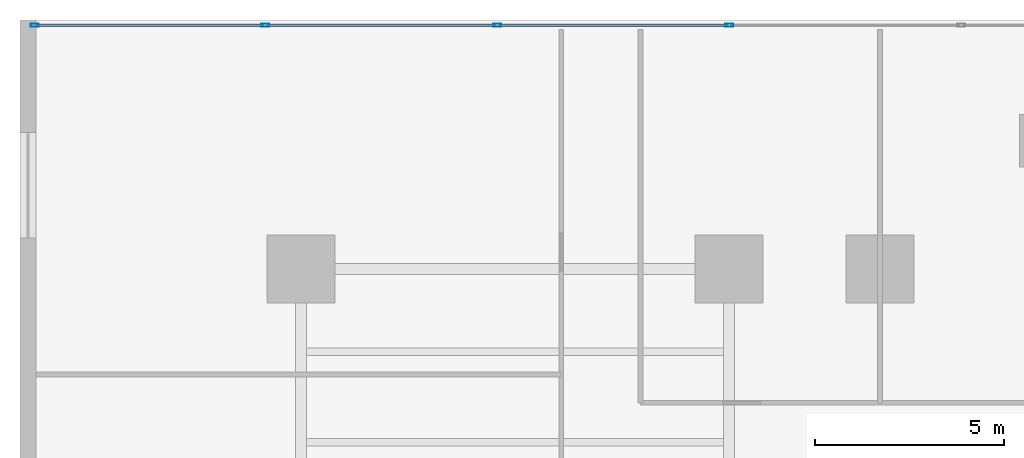
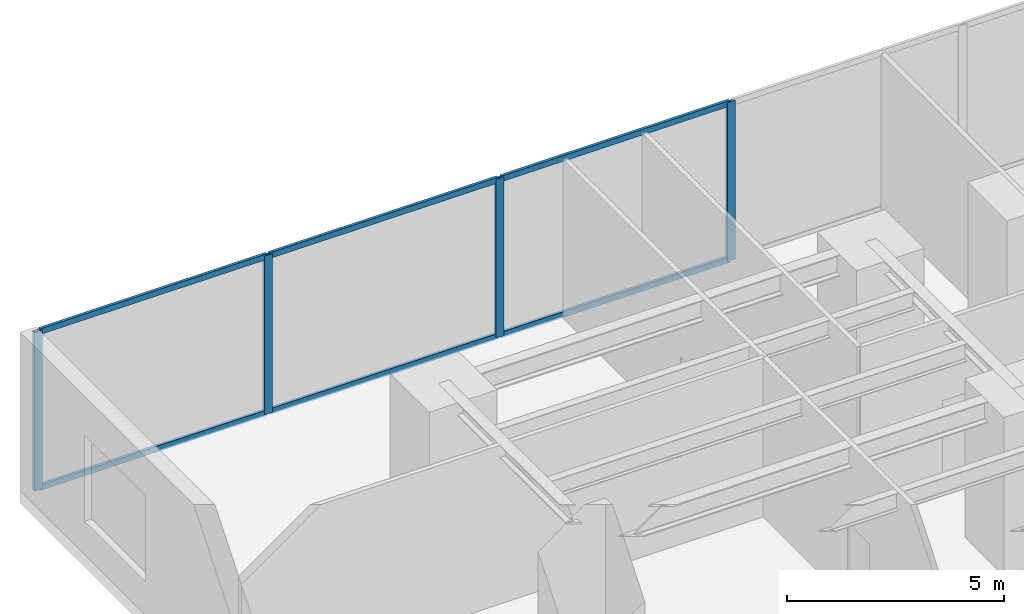
# One storey, part 3 of 16: 10 members, 1 element without a shape of its own.
"""IFC4 building model written with IfcOpenShell, lengths in metres."""

import ifcopenshell
import ifcopenshell.guid

model = None  # the IFC model being written
_history = None  # IfcOwnerHistory: only IFC2X3 demands one
_inside = {}  # id of a spatial element -> (the spatial element, [elements in it])
_under = {}  # id of a project, library or spatial element -> (it, [spatial elements below it])
_declared = {}  # id of a project -> (the project, [libraries it declares])
_typed = {}  # id of a type object -> (the type object, [elements of that type])
_made_of = {}  # id of a material, layer set ... -> (it, [elements and type objects made of it])


def new_model(schema):
    """Start an empty IFC model of exactly this schema.

    Asked for "IFC4X3", IfcOpenShell would pick the latest addendum, in which some entities
    have other attributes; the version numbers below select the first issue.
    IFC2X3 requires an IfcOwnerHistory on every rooted entity: one is made here for all.
    """
    global model, _history
    if schema == "IFC4X3":
        model = ifcopenshell.file(schema_version=(4, 3, 0, 0))
    else:
        model = ifcopenshell.file(schema=schema)
    _inside.clear()
    _under.clear()
    _declared.clear()
    _typed.clear()
    _made_of.clear()
    _history = None
    if model.schema == "IFC2X3":
        org = make("IfcOrganization", Name="unknown")
        user = make(
            "IfcPersonAndOrganization",
            ThePerson=make("IfcPerson", FamilyName="unknown"),
            TheOrganization=org,
        )
        app = make(
            "IfcApplication",
            ApplicationDeveloper=org,
            Version="unknown",
            ApplicationFullName="unknown",
            ApplicationIdentifier="unknown",
        )
        _history = make(
            "IfcOwnerHistory",
            OwningUser=user,
            OwningApplication=app,
            ChangeAction="ADDED",
            CreationDate=0,
        )
    return model


def make(cls, **values):
    """One entity of the class cls with the attributes given. An attribute that is None is left unset."""
    return model.create_entity(
        cls, **{name: value for name, value in values.items() if value is not None}
    )


def rooted(cls, **values):
    """An entity with a GlobalId (a new one), such as an element, a storey or a relation."""
    return make(cls, GlobalId=ifcopenshell.guid.new(), OwnerHistory=_history, **values)


def si_unit(unit_type, name, prefix=None):
    """IfcSIUnit, for example si_unit("LENGTHUNIT", "METRE", prefix="MILLI")."""
    return make("IfcSIUnit", UnitType=unit_type, Prefix=prefix, Name=name)


def assignment(units):
    """IfcUnitAssignment: the units of a project."""
    return None if units is None else make("IfcUnitAssignment", Units=units)


def point(xyz):
    """IfcCartesianPoint."""
    return None if xyz is None else make("IfcCartesianPoint", Coordinates=xyz)


def direction(xyz):
    """IfcDirection."""
    return None if xyz is None else make("IfcDirection", DirectionRatios=xyz)


def frame(location, z_axis=None, x_axis=None):
    """IfcAxis2Placement3D, a coordinate frame: its origin and axes. An axis left out is left unset."""
    return make(
        "IfcAxis2Placement3D",
        Location=point(location),
        Axis=direction(z_axis),
        RefDirection=direction(x_axis),
    )


def frame_2d(location, x_axis=None):
    """IfcAxis2Placement2D, a coordinate frame in the plane: its origin and x axis."""
    return make(
        "IfcAxis2Placement2D", Location=point(location), RefDirection=direction(x_axis)
    )


def origin():
    """The frame at (0, 0, 0) with its axes left unset."""
    return frame((0.0, 0.0, 0.0))


def origin_with_axes():
    """The frame at (0, 0, 0) with the z axis (0, 0, 1) and the x axis (1, 0, 0) written out."""
    return frame((0.0, 0.0, 0.0), z_axis=(0.0, 0.0, 1.0), x_axis=(1.0, 0.0, 0.0))


def origin_2d():
    """The frame at (0, 0) in the plane with its x axis left unset."""
    return frame_2d((0.0, 0.0))


def place(relative_to, where):
    """IfcLocalPlacement: puts the frame where relative to a parent placement (None: the world)."""
    return make(
        "IfcLocalPlacement", PlacementRelTo=relative_to, RelativePlacement=where
    )


def context(
    kind, dimensions, precision=None, world=None, true_north=None, identifier=None
):
    """IfcGeometricRepresentationContext, for example the 3D "Model" context."""
    return make(
        "IfcGeometricRepresentationContext",
        ContextIdentifier=identifier,
        ContextType=kind,
        CoordinateSpaceDimension=dimensions,
        Precision=precision,
        WorldCoordinateSystem=world,
        TrueNorth=true_north,
    )


def subcontext(parent, identifier, kind, view, scale=None):
    """IfcGeometricRepresentationSubContext, for example "Body" below "Model"."""
    return make(
        "IfcGeometricRepresentationSubContext",
        ContextIdentifier=identifier,
        ContextType=kind,
        ParentContext=parent,
        TargetScale=scale,
        TargetView=view,
    )


def project(units=None, contexts=None):
    """IfcProject with its units and contexts."""
    return rooted(
        "IfcProject",
        Name="project",
        RepresentationContexts=contexts,
        UnitsInContext=assignment(units),
    )


def spatial(cls, under=None, at=None, **own):
    """A site, building, storey or space (cls), placed at a placement, below another one or the project."""
    s = rooted(cls, ObjectPlacement=at, **own)
    if under is not None:
        _under.setdefault(under.id(), (under, []))[1].append(s)
    return s


def profile(cls, at=None, kind="AREA", **sizes):
    """A parametric profile (cls). Its sizes go by their IFC names, for example OverallWidth=200.0."""
    return make(cls, ProfileType=kind, Position=at, **sizes)


def hollow_rectangle(**sizes):
    """IfcRectangleHollowProfileDef."""
    return profile("IfcRectangleHollowProfileDef", **sizes)


def extrude(swept, where, along, depth):
    """IfcExtrudedAreaSolid: the profile swept, set in the frame where, extruded along a direction by depth."""
    return make(
        "IfcExtrudedAreaSolid",
        SweptArea=swept,
        Position=where,
        ExtrudedDirection=direction(along),
        Depth=depth,
    )


def shape(context_of_items, identifier, shape_type, items):
    """IfcShapeRepresentation: the items that make up one representation, for example the "Body"."""
    return make(
        "IfcShapeRepresentation",
        ContextOfItems=context_of_items,
        RepresentationIdentifier=identifier,
        RepresentationType=shape_type,
        Items=items,
    )


def source(mapping_origin, context_of_items, identifier, shape_type, items):
    """IfcRepresentationMap: a shape defined once, which mapped items show again and again."""
    return make(
        "IfcRepresentationMap",
        MappingOrigin=mapping_origin,
        MappedRepresentation=shape(context_of_items, identifier, shape_type, items),
    )


def transform(
    local_origin,
    x_axis=None,
    y_axis=None,
    z_axis=None,
    scale=None,
    scale2=None,
    scale3=None,
    uniform=True,
):
    """IfcCartesianTransformationOperator3D, or its non-uniform kind. x_axis, y_axis, z_axis: its Axis1, 2, 3."""
    if uniform:
        return make(
            "IfcCartesianTransformationOperator3D",
            Axis1=direction(x_axis),
            Axis2=direction(y_axis),
            LocalOrigin=point(local_origin),
            Scale=scale,
            Axis3=direction(z_axis),
        )
    return make(
        "IfcCartesianTransformationOperator3DnonUniform",
        Axis1=direction(x_axis),
        Axis2=direction(y_axis),
        LocalOrigin=point(local_origin),
        Scale=scale,
        Axis3=direction(z_axis),
        Scale2=scale2,
        Scale3=scale3,
    )


def mapped(mapping_source, mapping_target):
    """IfcMappedItem: shows the shape of a source again, moved by a transform."""
    return make(
        "IfcMappedItem", MappingSource=mapping_source, MappingTarget=mapping_target
    )


def material(Name=None, Category=None):
    """IfcMaterial."""
    return make("IfcMaterial", Name=Name, Category=Category)


def layer(
    of_material, thickness, ventilated=None, Name=None, Category=None, Priority=None
):
    """IfcMaterialLayer: one layer of a wall or slab, of a material (None: an air gap)."""
    return make(
        "IfcMaterialLayer",
        Material=of_material,
        LayerThickness=thickness,
        IsVentilated=ventilated,
        Name=Name,
        Category=Category,
        Priority=Priority,
    )


def layer_set(layers, Name=None):
    """IfcMaterialLayerSet."""
    return make("IfcMaterialLayerSet", MaterialLayers=layers, LayerSetName=Name)


def material_profile(
    of_material, cross_section, Name=None, Category=None, Priority=None
):
    """IfcMaterialProfile: a cross section and its material."""
    return make(
        "IfcMaterialProfile",
        Name=Name,
        Material=of_material,
        Profile=cross_section,
        Priority=Priority,
        Category=Category,
    )


def profile_set(profiles, Name=None, composite=None):
    """IfcMaterialProfileSet."""
    return make(
        "IfcMaterialProfileSet",
        Name=Name,
        MaterialProfiles=profiles,
        CompositeProfile=composite,
    )


def made_of(thing, what):
    """Note that an element or type object is made of a material, layer set ...; save() writes the relation."""
    if what is not None:
        _made_of.setdefault(what.id(), (what, []))[1].append(thing)
    return thing


def type_object(cls, material=None, **own):
    """A type object (cls), such as IfcWallType, which elements share."""
    return made_of(rooted(cls, **own), material)


def element(
    cls,
    number,
    at=None,
    inside=None,
    cuts=None,
    type_object=None,
    material=None,
    context=None,
    identifier="Body",
    shape_type=None,
    held_by="IfcProductDefinitionShape",
    body=None,
    shapes=None,
    **own,
):
    """One element of the class cls, such as IfcWall. Its Tag is "e" and its number.

    at: its placement. inside: the storey or other place that contains it. cuts: it is an
    opening in that element (IfcRelVoidsElement). A single representation is given by context,
    identifier, shape_type and body (its items); several are given by shapes. held_by: the class
    of the entity that holds the representations. save() writes the other relations.
    """
    e = rooted(cls, Tag="e%d" % number, ObjectPlacement=at, **own)
    if body is not None:
        shapes = [shape(context, identifier, shape_type, body)]
    if shapes is not None:
        e.Representation = make(held_by, Representations=shapes)
    if inside is not None:
        _inside.setdefault(inside.id(), (inside, []))[1].append(e)
    if cuts is not None:
        rooted(
            "IfcRelVoidsElement", RelatingBuildingElement=cuts, RelatedOpeningElement=e
        )
    if type_object is not None:
        _typed.setdefault(type_object.id(), (type_object, []))[1].append(e)
    return made_of(e, material)


def aggregate(whole, parts):
    """IfcRelAggregates: a whole, such as a stair, and the parts it consists of."""
    return rooted("IfcRelAggregates", RelatingObject=whole, RelatedObjects=parts)


def save(model, path):
    """Write the relations noted so far, then the file.

    IfcRelAggregates (storeys below a building ...), IfcRelContainedInSpatialStructure (elements
    in a storey), IfcRelDefinesByType, IfcRelAssociatesMaterial and IfcRelDeclares: one each for
    every whole, place, type object, material and project.
    """
    for whole, parts in _under.values():
        aggregate(whole, parts)
    for where, things in _inside.values():
        rooted(
            "IfcRelContainedInSpatialStructure",
            RelatedElements=things,
            RelatingStructure=where,
        )
    for kind, things in _typed.values():
        rooted("IfcRelDefinesByType", RelatedObjects=things, RelatingType=kind)
    for what, things in _made_of.values():
        rooted("IfcRelAssociatesMaterial", RelatedObjects=things, RelatingMaterial=what)
    for by, libraries in _declared.values():
        rooted("IfcRelDeclares", RelatingContext=by, RelatedDefinitions=libraries)
    model.write(path)


model = new_model("IFC4")

# Units and contexts
model_context = context("Model", 3, precision=1e-05, world=origin(), true_north=direction((0.0, 1.0)))
body_context = subcontext(model_context, "Body", "Model", "MODEL_VIEW")
ifc_project = project(units=[si_unit("LENGTHUNIT", "METRE"), si_unit("AREAUNIT", "SQUARE_METRE"), si_unit("VOLUMEUNIT", "CUBIC_METRE"), si_unit("PLANEANGLEUNIT", "RADIAN"), si_unit("MASSUNIT", "GRAM", prefix="KILO")], contexts=[model_context])

# Site, building, storey
site_placement = place(None, origin())
site = spatial("IfcSite", under=ifc_project, at=site_placement, CompositionType="ELEMENT")
building_placement = place(site_placement, origin())
building = spatial("IfcBuilding", under=site, at=building_placement, Name="Kolvaren Waterfront Exchange", CompositionType="ELEMENT")
storey_placement = place(building_placement, frame((0.0, 0.0, 20.0)))
storey = spatial("IfcBuildingStorey", under=building, at=storey_placement, Name="L05", CompositionType="ELEMENT", Elevation=20.0)

# Curtain wall, members
ifc_material_1 = material(Name="Anodised bronze aluminium 6063-T6", Category="aluminium")
ifc_layer = layer(ifc_material_1, 0.219970703125, Name="Anodised bronze aluminium 6063-T6")
ifc_layer_set = layer_set([ifc_layer], Name="Anodised bronze aluminium 6063-T6")
curtain_wall_type = type_object("IfcCurtainWallType", Name="ARC-CW-SYS1", PredefinedType="USERDEFINED", material=ifc_layer_set)
curtain_wall_placement = place(storey_placement, origin())
curtain_wall = element("IfcCurtainWall", 1, at=curtain_wall_placement, inside=storey, type_object=curtain_wall_type, Name="L05 stick curtain wall CW1 (CW-L05-N2)", ObjectType="STICK CURTAIN WALL", PredefinedType="USERDEFINED")
ifc_material_2 = material(Name="Anodised aluminium 6063-T6", Category="aluminium")
ifc_material_profile_1 = material_profile(ifc_material_2, hollow_rectangle(XDim=0.080078125, YDim=0.219970703125, WallThickness=0.0048828125, at=origin_2d()), Name="ALU-MUL-220x80x5")
ifc_profile_set_1 = profile_set([ifc_material_profile_1], Name="Anodised aluminium 6063-T6")
member_type_1 = type_object("IfcMemberType", Name="ARC-CWM-220", PredefinedType="MULLION", material=ifc_profile_set_1)
shared_shape_1 = source(origin_with_axes(), body_context, "Body", "SweptSolid", [
    extrude(hollow_rectangle(XDim=0.080078125, YDim=0.219970703125, WallThickness=0.0048828125, at=origin_2d()), origin(), (0.0, 0.0, 1.0), 4.4599609375),
])
member_1_placement = place(storey_placement, frame((18.804931640625, 51.06005859375, 0.0), z_axis=(0.0, 0.0, 1.0), x_axis=(0.0, -1.0, 0.0)))
member_1 = element("IfcMember", 2, at=member_1_placement, type_object=member_type_1, Name="CW1 mullion 4", PredefinedType="MULLION", context=body_context, shape_type="MappedRepresentation", body=[
    mapped(shared_shape_1, transform((0.0, 0.0, 0.0), x_axis=(1.0, 0.0, 0.0), y_axis=(0.0, 1.0, 0.0), z_axis=(0.0, 0.0, 1.0), scale=1.0)),
])
member_2_placement = place(storey_placement, frame((12.6533203125, 51.06005859375, 0.0), z_axis=(0.0, 0.0, 1.0), x_axis=(0.0, -1.0, 0.0)))
member_2 = element("IfcMember", 3, at=member_2_placement, type_object=member_type_1, Name="CW1 mullion 5", PredefinedType="MULLION", context=body_context, shape_type="MappedRepresentation", body=[
    mapped(shared_shape_1, transform((0.0, 0.0, 0.0), x_axis=(1.0, 0.0, 0.0), y_axis=(0.0, 1.0, 0.0), z_axis=(0.0, 0.0, 1.0), scale=1.0)),
])
member_3_placement = place(storey_placement, frame((6.501708984375, 51.06005859375, 0.0), z_axis=(0.0, 0.0, 1.0), x_axis=(0.0, -1.0, 0.0)))
member_3 = element("IfcMember", 4, at=member_3_placement, type_object=member_type_1, Name="CW1 mullion 6", PredefinedType="MULLION", context=body_context, shape_type="MappedRepresentation", body=[
    mapped(shared_shape_1, transform((0.0, 0.0, 0.0), x_axis=(1.0, 0.0, 0.0), y_axis=(0.0, 1.0, 0.0), z_axis=(0.0, 0.0, 1.0), scale=1.0)),
])
member_4_placement = place(storey_placement, frame((0.389892578125, 51.06005859375, 0.0), z_axis=(0.0, 0.0, 1.0), x_axis=(0.0, -1.0, 0.0)))
member_4 = element("IfcMember", 5, at=member_4_placement, type_object=member_type_1, Name="CW1 mullion 7", PredefinedType="MULLION", context=body_context, shape_type="MappedRepresentation", body=[
    mapped(shared_shape_1, transform((0.0, 0.0, 0.0), x_axis=(1.0, 0.0, 0.0), y_axis=(0.0, 1.0, 0.0), z_axis=(0.0, 0.0, 1.0), scale=1.0)),
])
ifc_material_profile_2 = material_profile(ifc_material_2, hollow_rectangle(XDim=0.074951171875, YDim=0.159912109375, WallThickness=0.00439453125, at=origin_2d()), Name="ALU-TRN-160x75x4.5")
ifc_profile_set_2 = profile_set([ifc_material_profile_2], Name="Anodised aluminium 6063-T6")
member_type_2 = type_object("IfcMemberType", Name="ARC-CWT-160", PredefinedType="USERDEFINED", material=ifc_profile_set_2)
shared_shape_2 = source(origin_with_axes(), body_context, "Body", "SweptSolid", [
    extrude(hollow_rectangle(XDim=0.074951171875, YDim=0.159912109375, WallThickness=0.00439453125, at=origin_2d()), origin(), (0.0, 0.0, 1.0), 6.071533203125),
])
member_5_placement = place(storey_placement, frame((18.764892578125, 51.06005859375, 0.03759765625), z_axis=(-1.0, 0.0, 0.0), x_axis=(0.0, -1.0, 0.0)))
member_5 = element("IfcMember", 6, at=member_5_placement, type_object=member_type_2, Name="CW1 transom 4.1", ObjectType="TRANSOM", PredefinedType="USERDEFINED", context=body_context, shape_type="MappedRepresentation", body=[
    mapped(shared_shape_2, transform((0.0, 0.0, 0.0), x_axis=(1.0, 0.0, 0.0), y_axis=(0.0, 1.0, 0.0), z_axis=(0.0, 0.0, 1.0), scale=1.0)),
])
member_6_placement = place(storey_placement, frame((18.764892578125, 51.06005859375, 4.422607421875), z_axis=(-1.0, 0.0, 0.0), x_axis=(0.0, -1.0, 0.0)))
member_6 = element("IfcMember", 7, at=member_6_placement, type_object=member_type_2, Name="CW1 transom 4.2", ObjectType="TRANSOM", PredefinedType="USERDEFINED", context=body_context, shape_type="MappedRepresentation", body=[
    mapped(shared_shape_2, transform((0.0, 0.0, 0.0), x_axis=(1.0, 0.0, 0.0), y_axis=(0.0, 1.0, 0.0), z_axis=(0.0, 0.0, 1.0), scale=1.0)),
])
member_7_placement = place(storey_placement, frame((12.61328125, 51.06005859375, 0.03759765625), z_axis=(-1.0, 0.0, 0.0), x_axis=(0.0, -1.0, 0.0)))
member_7 = element("IfcMember", 8, at=member_7_placement, type_object=member_type_2, Name="CW1 transom 5.1", ObjectType="TRANSOM", PredefinedType="USERDEFINED", context=body_context, shape_type="MappedRepresentation", body=[
    mapped(shared_shape_2, transform((0.0, 0.0, 0.0), x_axis=(1.0, 0.0, 0.0), y_axis=(0.0, 1.0, 0.0), z_axis=(0.0, 0.0, 1.0), scale=1.0)),
])
member_8_placement = place(storey_placement, frame((12.61328125, 51.06005859375, 4.422607421875), z_axis=(-1.0, 0.0, 0.0), x_axis=(0.0, -1.0, 0.0)))
member_8 = element("IfcMember", 9, at=member_8_placement, type_object=member_type_2, Name="CW1 transom 5.2", ObjectType="TRANSOM", PredefinedType="USERDEFINED", context=body_context, shape_type="MappedRepresentation", body=[
    mapped(shared_shape_2, transform((0.0, 0.0, 0.0), x_axis=(1.0, 0.0, 0.0), y_axis=(0.0, 1.0, 0.0), z_axis=(0.0, 0.0, 1.0), scale=1.0)),
])
shared_shape_3 = source(origin_with_axes(), body_context, "Body", "SweptSolid", [
    extrude(hollow_rectangle(XDim=0.074951171875, YDim=0.159912109375, WallThickness=0.00439453125, at=origin_2d()), origin(), (0.0, 0.0, 1.0), 6.03173828125),
])
member_9_placement = place(storey_placement, frame((6.461669921875, 51.06005859375, 0.03759765625), z_axis=(-1.0, 0.0, 0.0), x_axis=(0.0, -1.0, 0.0)))
member_9 = element("IfcMember", 10, at=member_9_placement, type_object=member_type_2, Name="CW1 transom 6.1", ObjectType="TRANSOM", PredefinedType="USERDEFINED", context=body_context, shape_type="MappedRepresentation", body=[
    mapped(shared_shape_3, transform((0.0, 0.0, 0.0), x_axis=(1.0, 0.0, 0.0), y_axis=(0.0, 1.0, 0.0), z_axis=(0.0, 0.0, 1.0), scale=1.0)),
])
member_10_placement = place(storey_placement, frame((6.461669921875, 51.06005859375, 4.422607421875), z_axis=(-1.0, 0.0, 0.0), x_axis=(0.0, -1.0, 0.0)))
member_10 = element("IfcMember", 11, at=member_10_placement, type_object=member_type_2, Name="CW1 transom 6.2", ObjectType="TRANSOM", PredefinedType="USERDEFINED", context=body_context, shape_type="MappedRepresentation", body=[
    mapped(shared_shape_3, transform((0.0, 0.0, 0.0), x_axis=(1.0, 0.0, 0.0), y_axis=(0.0, 1.0, 0.0), z_axis=(0.0, 0.0, 1.0), scale=1.0)),
])
aggregate(curtain_wall, [member_1, member_2, member_3, member_4, member_5, member_6, member_7, member_8, member_9, member_10])

save(model, "model.ifc")
